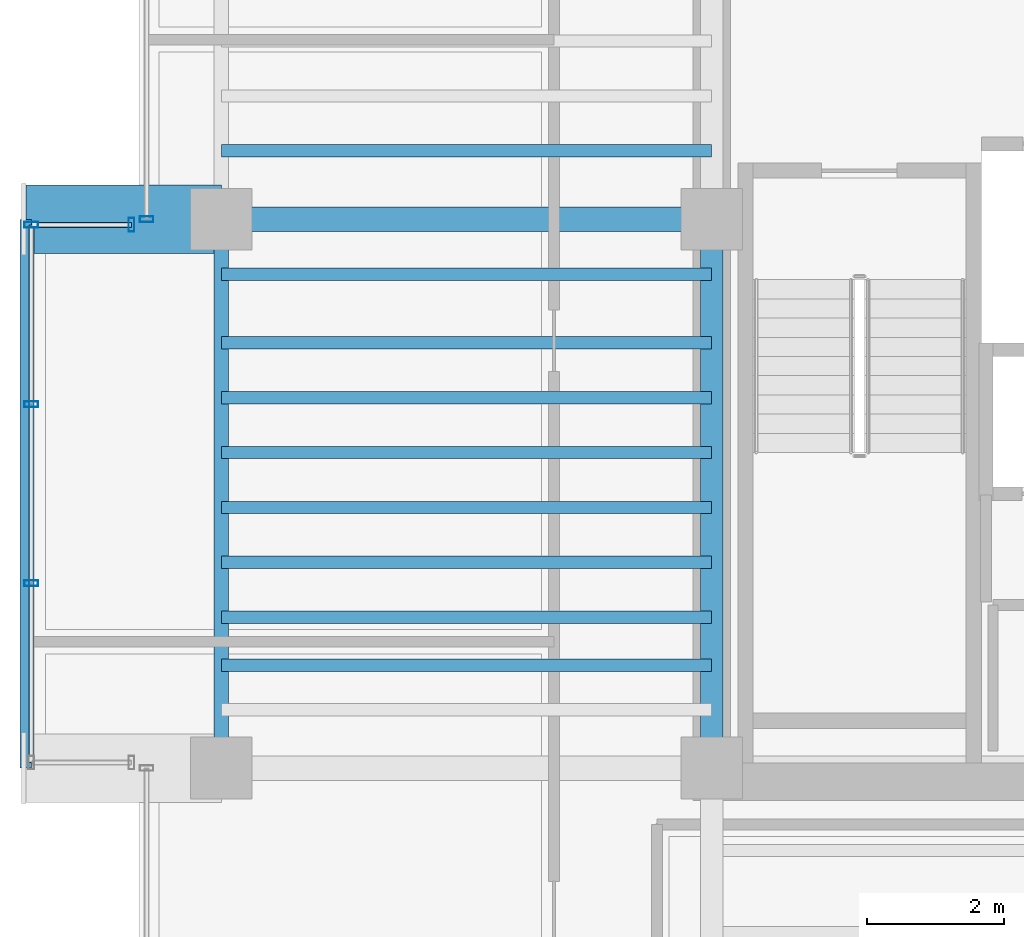
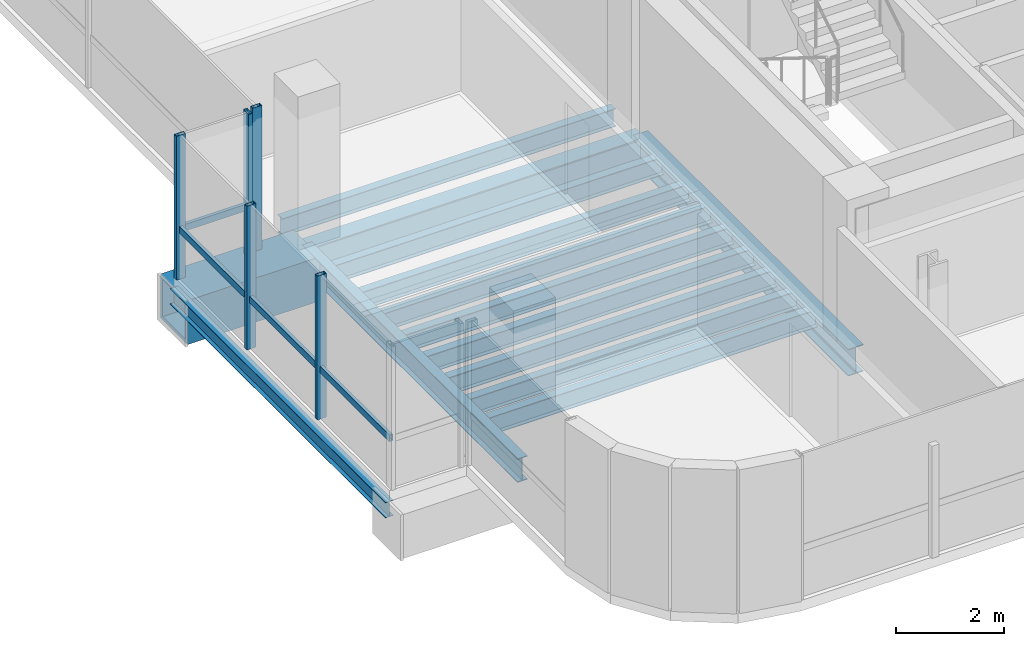
# One storey, part 4 of 22: 14 beams, 7 members, 3 elements without a shape of their own.
"""IFC4 building model written with IfcOpenShell, lengths in metres."""

from ifc_helpers import new_model, si_unit, direction, frame, origin, origin_2d, place, context, subcontext, project, spatial, hollow_rectangle, i_section, extrude, source, transform, mapped, material, material_profile, profile_set, type_object, element, aggregate, save


model = new_model("IFC4")

# Units and contexts
model_context = context("Model", 3, precision=1e-05, world=origin(), true_north=direction((0.0, 1.0)))
body_context = subcontext(model_context, "Body", "Model", "MODEL_VIEW")
ifc_project = project(units=[si_unit("LENGTHUNIT", "METRE"), si_unit("AREAUNIT", "SQUARE_METRE"), si_unit("VOLUMEUNIT", "CUBIC_METRE"), si_unit("PLANEANGLEUNIT", "RADIAN"), si_unit("MASSUNIT", "GRAM", prefix="KILO")], contexts=[model_context])

# Site, building, storey
site_placement = place(None, origin())
site = spatial("IfcSite", under=ifc_project, at=site_placement, CompositionType="ELEMENT")
building_placement = place(site_placement, origin())
building = spatial("IfcBuilding", under=site, at=building_placement, Name="Valdorenza Pilgrim Sanctuary Tower", CompositionType="ELEMENT")
storey_placement = place(building_placement, frame((0.0, 0.0, 233.5)))
storey = spatial("IfcBuildingStorey", under=building, at=storey_placement, Name="L60", CompositionType="ELEMENT", Elevation=233.5)

# Beams
ifc_material_1 = material(Name="Steel ASTM A992 Grade 50", Category="steel")
ifc_material_profile_1 = material_profile(ifc_material_1, i_section(OverallWidth=0.323974609375, OverallDepth=0.611083984375, WebThickness=0.0126953125, FlangeThickness=0.01904296875, at=origin_2d()), Name="W24X104")
ifc_profile_set_1 = profile_set([ifc_material_profile_1], Name="Steel ASTM A992 Grade 50")
beam_type_1 = type_object("IfcBeamType", Name="STR-BM-GRD-W24B", PredefinedType="BEAM", material=ifc_profile_set_1)
shared_shape_1 = source(origin(), body_context, "Body", "SweptSolid", [
    extrude(i_section(OverallWidth=0.323974609375, OverallDepth=0.611083984375, WebThickness=0.0126953125, FlangeThickness=0.01904296875, at=origin_2d()), origin(), (0.0, 0.0, 1.0), 8.0),
])
beam_1_placement = place(storey_placement, frame((-22.64990234375, -10.60009765625, -0.54541015625), z_axis=(0.0, 1.0, 0.0), x_axis=(-1.0, 0.0, 0.0)))
element("IfcBeam", 1, at=beam_1_placement, inside=storey, type_object=beam_type_1, Name="L60 Core Tie Girder CA-W-S1M0", PredefinedType="BEAM", context=body_context, shape_type="MappedRepresentation", body=[
    mapped(shared_shape_1, transform((0.0, 0.0, 0.0), x_axis=(1.0, 0.0, 0.0), y_axis=(0.0, 1.0, 0.0), z_axis=(0.0, 0.0, 1.0), scale=1.0)),
])
ifc_material_profile_2 = material_profile(ifc_material_1, i_section(OverallWidth=0.1708984375, OverallDepth=0.35107421875, WebThickness=0.0068359375, FlangeThickness=0.009765625, at=origin_2d()), Name="W14X30")
ifc_profile_set_2 = profile_set([ifc_material_profile_2], Name="Steel ASTM A992 Grade 50")
beam_type_2 = type_object("IfcBeamType", Name="STR-BM-BOX-W14", PredefinedType="BEAM", material=ifc_profile_set_2)
shared_shape_2 = source(origin(), body_context, "Body", "SweptSolid", [
    extrude(i_section(OverallWidth=0.1708984375, OverallDepth=0.35107421875, WebThickness=0.0068359375, FlangeThickness=0.009765625, at=origin_2d()), origin(), (0.0, 0.0, 1.0), 8.0),
])
beam_2_placement = place(storey_placement, frame((-32.64990234375, -10.60009765625, -0.41552734375), z_axis=(0.0, 1.0, 0.0), x_axis=(-1.0, 0.0, 0.0)))
element("IfcBeam", 2, at=beam_2_placement, inside=storey, type_object=beam_type_2, Name="L60 Glass Box Edge Beam BOX-WA-L60-F", PredefinedType="BEAM", context=body_context, shape_type="MappedRepresentation", body=[
    mapped(shared_shape_2, transform((0.0, 0.0, 0.0), x_axis=(1.0, 0.0, 0.0), y_axis=(0.0, 1.0, 0.0), z_axis=(0.0, 0.0, 1.0), scale=1.0)),
])
ifc_material_2 = material(Name="Steel ASTM A572 Grade 42", Category="steel")
ifc_material_profile_3 = material_profile(ifc_material_2, hollow_rectangle(XDim=1.0, YDim=1.0, WallThickness=0.080078125, at=origin_2d()), Name="BOX 1000x1000x80")
ifc_profile_set_3 = profile_set([ifc_material_profile_3], Name="Steel ASTM A572 Grade 42")
beam_type_3 = type_object("IfcBeamType", Name="STR-BM-PROW-CANT", PredefinedType="BEAM", material=ifc_profile_set_3)
shared_shape_3 = source(origin(), body_context, "Body", "SweptSolid", [
    extrude(hollow_rectangle(XDim=1.0, YDim=1.0, WallThickness=0.080078125, at=origin_2d()), origin(), (0.0, 0.0, 1.0), 2.849853515625),
])
beam_3_placement = place(storey_placement, frame((-29.800048828125, -2.60009765625, -0.739990234375), z_axis=(-1.0, 0.0, 0.0), x_axis=(0.0, -1.0, 0.0)))
element("IfcBeam", 3, at=beam_3_placement, inside=storey, type_object=beam_type_3, Name="L60 Glass Box Cantilever Beam BOX-WA-L60-CT-N", PredefinedType="BEAM", context=body_context, shape_type="MappedRepresentation", body=[
    mapped(shared_shape_3, transform((0.0, 0.0, 0.0), x_axis=(1.0, 0.0, 0.0), y_axis=(0.0, 1.0, 0.0), z_axis=(0.0, 0.0, 1.0), scale=1.0)),
])
ifc_material_profile_4 = material_profile(ifc_material_1, i_section(OverallWidth=0.2109375, OverallDepth=0.5390625, WebThickness=0.01171875, FlangeThickness=0.018798828125, at=origin_2d()), Name="W21X73")
ifc_profile_set_4 = profile_set([ifc_material_profile_4], Name="Steel ASTM A992 Grade 50")
beam_type_4 = type_object("IfcBeamType", Name="STR-BM-SPN-W21B", PredefinedType="SPANDREL", material=ifc_profile_set_4)
shared_shape_4 = source(origin(), body_context, "Body", "SweptSolid", [
    extrude(i_section(OverallWidth=0.2109375, OverallDepth=0.5390625, WebThickness=0.01171875, FlangeThickness=0.018798828125, at=origin_2d()), origin(), (0.0, 0.0, 1.0), 8.0),
])
beam_4_placement = place(storey_placement, frame((-29.800048828125, -10.60009765625, -0.509521484375), z_axis=(0.0, 1.0, 0.0), x_axis=(-1.0, 0.0, 0.0)))
element("IfcBeam", 4, at=beam_4_placement, inside=storey, type_object=beam_type_4, Name="L60 Spandrel Beam WA-W-S1M0", PredefinedType="SPANDREL", context=body_context, shape_type="MappedRepresentation", body=[
    mapped(shared_shape_4, transform((0.0, 0.0, 0.0), x_axis=(1.0, 0.0, 0.0), y_axis=(0.0, 1.0, 0.0), z_axis=(0.0, 0.0, 1.0), scale=1.0)),
])
ifc_material_profile_5 = material_profile(ifc_material_1, i_section(OverallWidth=0.35595703125, OverallDepth=0.700927734375, WebThickness=0.016845703125, FlangeThickness=0.02734375, at=origin_2d()), Name="W27X161")
ifc_profile_set_5 = profile_set([ifc_material_profile_5], Name="Steel ASTM A992 Grade 50")
beam_type_5 = type_object("IfcBeamType", Name="STR-BM-GRD-W27", PredefinedType="BEAM", material=ifc_profile_set_5)
shared_shape_5 = source(origin(), body_context, "Body", "SweptSolid", [
    extrude(i_section(OverallWidth=0.35595703125, OverallDepth=0.700927734375, WebThickness=0.016845703125, FlangeThickness=0.02734375, at=origin_2d()), origin(), (0.0, 0.0, 1.0), 7.150146484375),
])
beam_5_placement = place(storey_placement, frame((-29.800048828125, -2.60009765625, -0.590576171875), z_axis=(1.0, 0.0, 0.0), x_axis=(0.0, 1.0, 0.0)))
element("IfcBeam", 5, at=beam_5_placement, inside=storey, type_object=beam_type_5, Name="L60 Floor Girder WA-XW-M0", PredefinedType="BEAM", context=body_context, shape_type="MappedRepresentation", body=[
    mapped(shared_shape_5, transform((0.0, 0.0, 0.0), x_axis=(1.0, 0.0, 0.0), y_axis=(0.0, 1.0, 0.0), z_axis=(0.0, 0.0, 1.0), scale=1.0)),
])
ifc_material_profile_6 = material_profile(ifc_material_1, i_section(OverallWidth=0.177978515625, OverallDepth=0.406005859375, WebThickness=0.0078125, FlangeThickness=0.0126953125, at=origin_2d()), Name="W16X40")
ifc_profile_set_6 = profile_set([ifc_material_profile_6], Name="Steel ASTM A992 Grade 50")
beam_type_6 = type_object("IfcBeamType", Name="STR-BM-JST-W16", PredefinedType="JOIST", material=ifc_profile_set_6)
shared_shape_6 = source(origin(), body_context, "Body", "SweptSolid", [
    extrude(i_section(OverallWidth=0.177978515625, OverallDepth=0.406005859375, WebThickness=0.0078125, FlangeThickness=0.0126953125, at=origin_2d()), origin(), (0.0, 0.0, 1.0), 7.150146484375),
])
for number, where, z_axis, x_axis, name in (
    (6, (-29.800048828125, -9.10009765625, -0.443115234375), (1.0, 0.0, 0.0), (0.0, 1.0, 0.0), "L60 Composite Floor Joist JST-WA-2"),
    (7, (-29.800048828125, -8.39990234375, -0.443115234375), (1.0, 0.0, 0.0), (0.0, 1.0, 0.0), "L60 Composite Floor Joist JST-WA-3"),
    (8, (-29.800048828125, -7.60009765625, -0.443115234375), (1.0, 0.0, 0.0), (0.0, 1.0, 0.0), "L60 Composite Floor Joist JST-WA-4"),
    (9, (-29.800048828125, -6.800048828125, -0.443115234375), (1.0, 0.0, 0.0), (0.0, 1.0, 0.0), "L60 Composite Floor Joist JST-WA-5"),
    (10, (-29.800048828125, -6.0, -0.443115234375), (1.0, 0.0, 0.0), (0.0, 1.0, 0.0), "L60 Composite Floor Joist JST-WA-6"),
    (11, (-29.800048828125, -5.199951171875, -0.443115234375), (1.0, 0.0, 0.0), (0.0, 1.0, 0.0), "L60 Composite Floor Joist JST-WA-7"),
    (12, (-29.800048828125, -4.39990234375, -0.443115234375), (1.0, 0.0, 0.0), (0.0, 1.0, 0.0), "L60 Composite Floor Joist JST-WA-8"),
    (13, (-29.800048828125, -3.39990234375, -0.443115234375), (1.0, 0.0, 0.0), (0.0, 1.0, 0.0), "L60 Composite Floor Joist JST-WA-9"),
    (14, (-29.800048828125, -1.60009765625, -0.443115234375), (1.0, 0.0, 0.0), (0.0, 1.0, 0.0), "L60 Composite Floor Joist JST-WA-10"),
):
    element("IfcBeam", number, at=place(storey_placement, frame(where, z_axis=z_axis, x_axis=x_axis)), inside=storey, type_object=beam_type_6, Name=name, PredefinedType="JOIST", context=body_context, shape_type="MappedRepresentation", body=[
        mapped(shared_shape_6, transform((0.0, 0.0, 0.0), x_axis=(1.0, 0.0, 0.0), y_axis=(0.0, 1.0, 0.0), z_axis=(0.0, 0.0, 1.0), scale=1.0)),
    ])

# Curtain wall, member
ifc_material_3 = material(Name="Curtain-wall IGU glazing", Category="glass")
curtain_wall_type = type_object("IfcCurtainWallType", Name="CW-SYS-02", PredefinedType="NOTDEFINED", material=ifc_material_3)
curtain_wall_1_placement = place(storey_placement, origin())
curtain_wall_1 = element("IfcCurtainWall", 15, at=curtain_wall_1_placement, inside=storey, type_object=curtain_wall_type, Name="L60 Curtain Wall CW-L60-BOX-WA-L60-N", PredefinedType="NOTDEFINED")
ifc_material_4 = material(Name="Anodised aluminium AW-6060", Category="aluminium")
ifc_material_profile_7 = material_profile(ifc_material_4, hollow_rectangle(XDim=0.074951171875, YDim=0.14990234375, WallThickness=0.00390625, at=origin_2d()), Name="ALU-T 150x75x4")
ifc_profile_set_7 = profile_set([ifc_material_profile_7], Name="Anodised aluminium AW-6060")
member_type_1 = type_object("IfcMemberType", Name="CW-TRN-02", PredefinedType="USERDEFINED", material=ifc_profile_set_7)
shared_shape_7 = source(origin(), body_context, "Body", "SweptSolid", [
    extrude(hollow_rectangle(XDim=0.074951171875, YDim=0.14990234375, WallThickness=0.00390625, at=origin_2d()), origin(), (0.0, 0.0, 1.0), 1.4599609375),
])
member_1_placement = place(storey_placement, frame((-32.570068359375, -2.679931640625, 1.1201171875), z_axis=(1.0, 0.0, 0.0), x_axis=(0.0, 1.0, 0.0)))
member_1 = element("IfcMember", 16, at=member_1_placement, type_object=member_type_1, Name="CW-L60-BOX-WA-L60-N Transom 1", ObjectType="TRANSOM", PredefinedType="USERDEFINED", context=body_context, shape_type="MappedRepresentation", body=[
    mapped(shared_shape_7, transform((0.0, 0.0, 0.0), x_axis=(1.0, 0.0, 0.0), y_axis=(0.0, 1.0, 0.0), z_axis=(0.0, 0.0, 1.0), scale=1.0)),
])

curtain_wall_2_placement = place(storey_placement, origin())
curtain_wall_2 = element("IfcCurtainWall", 17, at=curtain_wall_2_placement, inside=storey, type_object=curtain_wall_type, Name="L60 Curtain Wall CW-L60-BOX-WA-L60-F", PredefinedType="NOTDEFINED")
shared_shape_8 = source(origin(), body_context, "Body", "SweptSolid", [
    extrude(hollow_rectangle(XDim=0.074951171875, YDim=0.14990234375, WallThickness=0.00390625, at=origin_2d()), origin(), (0.0, 0.0, 1.0), 7.840087890625),
])
member_2_placement = place(storey_placement, frame((-32.570068359375, -10.52001953125, 1.1201171875), z_axis=(0.0, 1.0, 0.0), x_axis=(-1.0, 0.0, 0.0)))
member_2 = element("IfcMember", 18, at=member_2_placement, type_object=member_type_1, Name="CW-L60-BOX-WA-L60-F Transom 1", ObjectType="TRANSOM", PredefinedType="USERDEFINED", context=body_context, shape_type="MappedRepresentation", body=[
    mapped(shared_shape_8, transform((0.0, 0.0, 0.0), x_axis=(1.0, 0.0, 0.0), y_axis=(0.0, 1.0, 0.0), z_axis=(0.0, 0.0, 1.0), scale=1.0)),
])

curtain_wall_3_placement = place(storey_placement, origin())
curtain_wall_3 = element("IfcCurtainWall", 19, at=curtain_wall_3_placement, inside=storey, type_object=curtain_wall_type, Name="L60 Curtain Wall CW-L60-1-1S2", PredefinedType="NOTDEFINED")
ifc_material_profile_8 = material_profile(ifc_material_4, hollow_rectangle(XDim=0.0849609375, YDim=0.199951171875, WallThickness=0.0048828125, at=origin_2d()), Name="ALU-M 200x85x5")
ifc_profile_set_8 = profile_set([ifc_material_profile_8], Name="Anodised aluminium AW-6060")
member_type_2 = type_object("IfcMemberType", Name="CW-MUL-02", PredefinedType="MULLION", material=ifc_profile_set_8)
shared_shape_9 = source(origin(), body_context, "Body", "SweptSolid", [
    extrude(hollow_rectangle(XDim=0.0849609375, YDim=0.199951171875, WallThickness=0.0048828125, at=origin_2d()), origin(), (0.0, 0.0, 1.0), 3.260009765625),
])
member_3_placement = place(storey_placement, frame((-30.889892578125, -2.60009765625, 0.0), z_axis=(0.0, 0.0, 1.0), x_axis=(0.0, 1.0, 0.0)))
member_3 = element("IfcMember", 20, at=member_3_placement, type_object=member_type_2, Name="CW-L60-1-1S2 Mullion 1", PredefinedType="MULLION", context=body_context, shape_type="MappedRepresentation", body=[
    mapped(shared_shape_9, transform((0.0, 0.0, 0.0), x_axis=(1.0, 0.0, 0.0), y_axis=(0.0, 1.0, 0.0), z_axis=(0.0, 0.0, 1.0), scale=1.0)),
])
aggregate(curtain_wall_3, [member_3])

# Member
member_4_placement = place(storey_placement, frame((-32.570068359375, -7.90673828125, 0.0), z_axis=(0.0, 0.0, 1.0), x_axis=(0.0, 1.0, 0.0)))
member_4 = element("IfcMember", 21, at=member_4_placement, type_object=member_type_2, Name="CW-L60-BOX-WA-L60-F Mullion 2", PredefinedType="MULLION", context=body_context, shape_type="MappedRepresentation", body=[
    mapped(shared_shape_9, transform((0.0, 0.0, 0.0), x_axis=(1.0, 0.0, 0.0), y_axis=(0.0, 1.0, 0.0), z_axis=(0.0, 0.0, 1.0), scale=1.0)),
])

member_5_placement = place(storey_placement, frame((-32.570068359375, -5.293212890625, 0.0), z_axis=(0.0, 0.0, 1.0), x_axis=(0.0, 1.0, 0.0)))
member_5 = element("IfcMember", 22, at=member_5_placement, type_object=member_type_2, Name="CW-L60-BOX-WA-L60-F Mullion 3", PredefinedType="MULLION", context=body_context, shape_type="MappedRepresentation", body=[
    mapped(shared_shape_9, transform((0.0, 0.0, 0.0), x_axis=(1.0, 0.0, 0.0), y_axis=(0.0, 1.0, 0.0), z_axis=(0.0, 0.0, 1.0), scale=1.0)),
])

member_6_placement = place(storey_placement, frame((-32.570068359375, -2.679931640625, 0.0), z_axis=(0.0, 0.0, 1.0), x_axis=(0.0, 1.0, 0.0)))
member_6 = element("IfcMember", 23, at=member_6_placement, type_object=member_type_2, Name="CW-L60-BOX-WA-L60-F Mullion 4", PredefinedType="MULLION", context=body_context, shape_type="MappedRepresentation", body=[
    mapped(shared_shape_9, transform((0.0, 0.0, 0.0), x_axis=(1.0, 0.0, 0.0), y_axis=(0.0, 1.0, 0.0), z_axis=(0.0, 0.0, 1.0), scale=1.0)),
])

aggregate(curtain_wall_2, [member_4, member_5, member_6, member_2])

member_7_placement = place(storey_placement, frame((-31.110107421875, -2.679931640625, 0.0), z_axis=(0.0, 0.0, 1.0), x_axis=(1.0, 0.0, 0.0)))
member_7 = element("IfcMember", 24, at=member_7_placement, type_object=member_type_2, Name="CW-L60-BOX-WA-L60-N Mullion 2", PredefinedType="MULLION", context=body_context, shape_type="MappedRepresentation", body=[
    mapped(shared_shape_9, transform((0.0, 0.0, 0.0), x_axis=(1.0, 0.0, 0.0), y_axis=(0.0, 1.0, 0.0), z_axis=(0.0, 0.0, 1.0), scale=1.0)),
])

aggregate(curtain_wall_1, [member_7, member_1])

save(model, "model.ifc")
